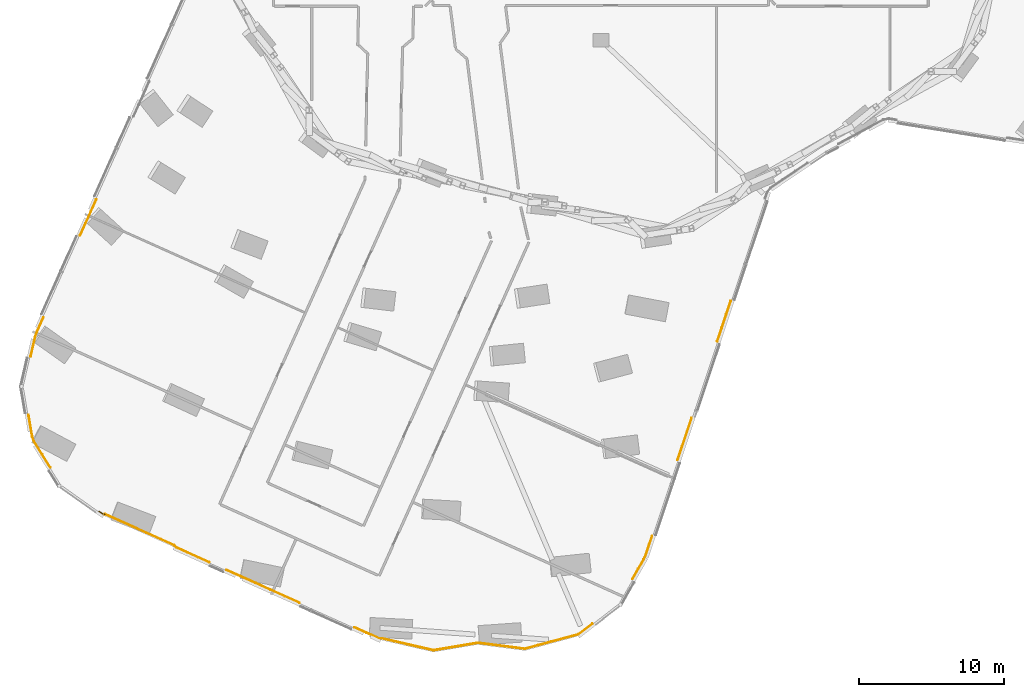
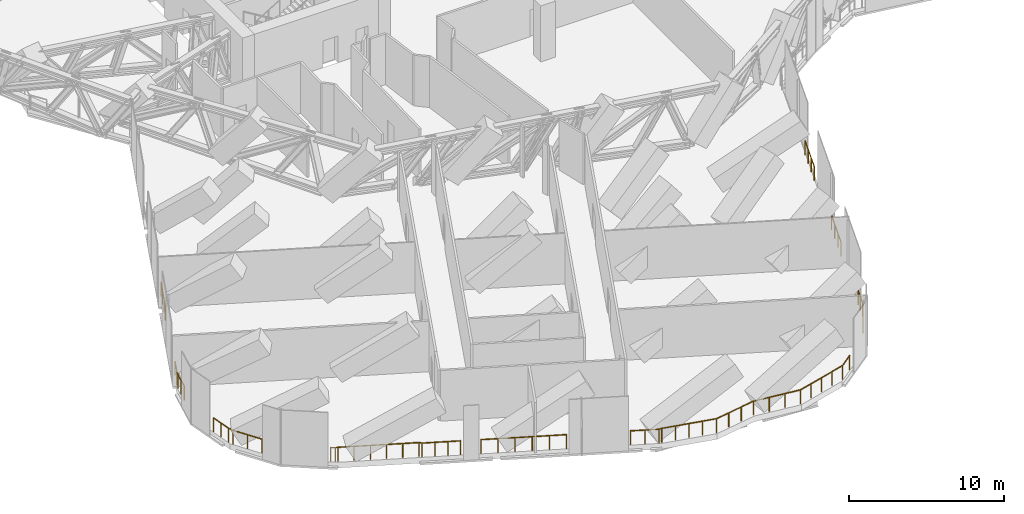
# One storey, part 35 of 39: 12 railings.
"""IFC4 building model written with IfcOpenShell, lengths in metres."""

from ifc_helpers import new_model, si_unit, direction, frame, origin, origin_2d, place, context, subcontext, project, spatial, circle, extrude, material, type_object, element, save


model = new_model("IFC4")

# Units and contexts
model_context = context("Model", 3, precision=1e-05, world=origin(), true_north=direction((0.0, 1.0)))
body_context = subcontext(model_context, "Body", "Model", "MODEL_VIEW")
ifc_project = project(units=[si_unit("LENGTHUNIT", "METRE"), si_unit("AREAUNIT", "SQUARE_METRE"), si_unit("VOLUMEUNIT", "CUBIC_METRE"), si_unit("PLANEANGLEUNIT", "RADIAN"), si_unit("MASSUNIT", "GRAM", prefix="KILO")], contexts=[model_context])

# Site, building, storey
site_placement = place(None, origin())
site = spatial("IfcSite", under=ifc_project, at=site_placement, CompositionType="ELEMENT")
building_placement = place(site_placement, origin())
building = spatial("IfcBuilding", under=site, at=building_placement, Name="Orlundy Tower", CompositionType="ELEMENT")
storey_placement = place(building_placement, frame((0.0, 0.0, 141.199951171875)))
storey = spatial("IfcBuildingStorey", under=building, at=storey_placement, Name="L36", CompositionType="ELEMENT", Elevation=141.199951171875)

# Railings
ifc_material = material(Name="Stainless steel bronze finish", Category="steel")
railing_type = type_object("IfcRailingType", Name="TG1 terrace guard", PredefinedType="GUARDRAIL", material=ifc_material)
railing_1_placement = place(storey_placement, frame((-27.083984375, -54.114501953125, 0.0)))
element("IfcRailing", 1, at=railing_1_placement, inside=storey, type_object=railing_type, Name="Guard TG-L36-E01", PredefinedType="GUARDRAIL", context=body_context, shape_type="SweptSolid", body=[
    extrude(circle(Radius=0.02490234375, at=origin_2d()), frame((0.0, 0.0, 1.09521484375), z_axis=(-0.912344174695, 0.409424116168, 0.0), x_axis=(-0.409424116168, -0.912344174695, 0.0)), (0.0, 0.0, 1.0), 2.49365234375),
    extrude(circle(Radius=0.02490234375, at=origin_2d()), frame((-2.275146484375, 1.02099609375, 1.09521484375), z_axis=(-0.695100250023, 0.718912819762, 0.0), x_axis=(-0.718912819762, -0.695100250023, 0.0)), (0.0, 0.0, 1.0), 0.21533203125),
    extrude(circle(Radius=0.02490234375, at=origin_2d()), frame((-2.4248046875, 1.17578125, 1.09521484375), z_axis=(-0.912373404843, 0.40935897466, 0.0), x_axis=(-0.40935897466, -0.912373404843, 0.0)), (0.0, 0.0, 1.0), 5.25),
    extrude(circle(Radius=0.02001953125, at=origin_2d()), origin(), (0.0, 0.0, 1.0), 1.070068359375),
    extrude(circle(Radius=0.02001953125, at=origin_2d()), frame((-0.75830078125, 0.34033203125, 0.0)), (0.0, 0.0, 1.0), 1.070068359375),
    extrude(circle(Radius=0.02001953125, at=origin_2d()), frame((-1.516845703125, 0.6806640625, 0.0)), (0.0, 0.0, 1.0), 1.070068359375),
    extrude(circle(Radius=0.02001953125, at=origin_2d()), frame((-2.275146484375, 1.02099609375, 0.0)), (0.0, 0.0, 1.0), 1.070068359375),
    extrude(circle(Radius=0.02001953125, at=origin_2d()), frame((-2.4248046875, 1.17578125, 0.0)), (0.0, 0.0, 1.0), 1.070068359375),
    extrude(circle(Radius=0.02001953125, at=origin_2d()), frame((-3.3828125, 1.605712890625, 0.0)), (0.0, 0.0, 1.0), 1.070068359375),
    extrude(circle(Radius=0.02001953125, at=origin_2d()), frame((-4.3408203125, 2.035400390625, 0.0)), (0.0, 0.0, 1.0), 1.070068359375),
    extrude(circle(Radius=0.02001953125, at=origin_2d()), frame((-5.298828125, 2.46533203125, 0.0)), (0.0, 0.0, 1.0), 1.070068359375),
    extrude(circle(Radius=0.02001953125, at=origin_2d()), frame((-6.2568359375, 2.89501953125, 0.0)), (0.0, 0.0, 1.0), 1.070068359375),
    extrude(circle(Radius=0.02001953125, at=origin_2d()), frame((-7.21484375, 3.324951171875, 0.0)), (0.0, 0.0, 1.0), 1.070068359375),
])
railing_2_placement = place(storey_placement, frame((-5.25341796875, -60.102783203125, 0.0)))
element("IfcRailing", 2, at=railing_2_placement, inside=storey, type_object=railing_type, Name="Guard TG-L36-E05", PredefinedType="GUARDRAIL", context=body_context, shape_type="SweptSolid", body=[
    extrude(circle(Radius=0.02490234375, at=origin_2d()), frame((0.0, 0.0, 1.09521484375), z_axis=(-0.992021153736, 0.126071529458, 0.0), x_axis=(-0.126071529458, -0.992021153736, 0.0)), (0.0, 0.0, 1.0), 3.274658203125),
    extrude(circle(Radius=0.02490234375, at=origin_2d()), frame((-3.24853515625, 0.412841796875, 1.09521484375), z_axis=(-0.986345130089, -0.164691482324, 0.0), x_axis=(0.164691482324, -0.986345130089, 0.0)), (0.0, 0.0, 1.0), 3.113037109375),
    extrude(circle(Radius=0.02001953125, at=origin_2d()), origin(), (0.0, 0.0, 1.0), 1.070068359375),
    extrude(circle(Radius=0.02001953125, at=origin_2d()), frame((-1.082763671875, 0.1376953125, 0.0)), (0.0, 0.0, 1.0), 1.070068359375),
    extrude(circle(Radius=0.02001953125, at=origin_2d()), frame((-2.165771484375, 0.275146484375, 0.0)), (0.0, 0.0, 1.0), 1.070068359375),
    extrude(circle(Radius=0.02001953125, at=origin_2d()), frame((-3.24853515625, 0.412841796875, 0.0)), (0.0, 0.0, 1.0), 1.070068359375),
    extrude(circle(Radius=0.02001953125, at=origin_2d()), frame((-4.27197265625, 0.241943359375, 0.0)), (0.0, 0.0, 1.0), 1.070068359375),
    extrude(circle(Radius=0.02001953125, at=origin_2d()), frame((-5.295654296875, 0.071044921875, 0.0)), (0.0, 0.0, 1.0), 1.070068359375),
    extrude(circle(Radius=0.02001953125, at=origin_2d()), frame((-6.319091796875, -0.099853515625, 0.0)), (0.0, 0.0, 1.0), 1.070068359375),
])
railing_3_placement = place(storey_placement, frame((-11.572509765625, -60.20263671875, 0.0)))
element("IfcRailing", 3, at=railing_3_placement, inside=storey, type_object=railing_type, Name="Guard TG-L36-E010", PredefinedType="GUARDRAIL", context=body_context, shape_type="SweptSolid", body=[
    extrude(circle(Radius=0.02490234375, at=origin_2d()), frame((0.0, 0.0, 1.09521484375), z_axis=(-0.974653153309, 0.22372132385, 0.0), x_axis=(-0.22372132385, -0.974653153309, 0.0)), (0.0, 0.0, 1.0), 3.681884765625),
    extrude(circle(Radius=0.02490234375, at=origin_2d()), frame((-3.588623046875, 0.82373046875, 1.09521484375), z_axis=(-0.99997997176, 0.006328987163, 0.0), x_axis=(-0.006328987163, -0.99997997176, 0.0)), (0.0, 0.0, 1.0), 0.19287109375),
    extrude(circle(Radius=0.02490234375, at=origin_2d()), frame((-3.781494140625, 0.824951171875, 1.09521484375), z_axis=(-0.912349877109, 0.409411408902, 0.0), x_axis=(-0.409411408902, -0.912349877109, 0.0)), (0.0, 0.0, 1.0), 1.853271484375),
    extrude(circle(Radius=0.02001953125, at=origin_2d()), origin(), (0.0, 0.0, 1.0), 1.070068359375),
    extrude(circle(Radius=0.02001953125, at=origin_2d()), frame((-0.897216796875, 0.2060546875, 0.0)), (0.0, 0.0, 1.0), 1.070068359375),
    extrude(circle(Radius=0.02001953125, at=origin_2d()), frame((-1.79443359375, 0.411865234375, 0.0)), (0.0, 0.0, 1.0), 1.070068359375),
    extrude(circle(Radius=0.02001953125, at=origin_2d()), frame((-2.69140625, 0.61767578125, 0.0)), (0.0, 0.0, 1.0), 1.070068359375),
    extrude(circle(Radius=0.02001953125, at=origin_2d()), frame((-3.588623046875, 0.82373046875, 0.0)), (0.0, 0.0, 1.0), 1.070068359375),
    extrude(circle(Radius=0.02001953125, at=origin_2d()), frame((-3.781494140625, 0.824951171875, 0.0)), (0.0, 0.0, 1.0), 1.070068359375),
    extrude(circle(Radius=0.02001953125, at=origin_2d()), frame((-4.626953125, 1.204345703125, 0.0)), (0.0, 0.0, 1.0), 1.070068359375),
    extrude(circle(Radius=0.02001953125, at=origin_2d()), frame((-5.472412109375, 1.583740234375, 0.0)), (0.0, 0.0, 1.0), 1.070068359375),
])
railing_4_placement = place(storey_placement, frame((-20.82958984375, -56.9208984375, 0.0)))
element("IfcRailing", 4, at=railing_4_placement, inside=storey, type_object=railing_type, Name="Guard TG-L36-E012", PredefinedType="GUARDRAIL", context=body_context, shape_type="SweptSolid", body=[
    extrude(circle(Radius=0.02490234375, at=origin_2d()), frame((0.0, 0.0, 1.09521484375), z_axis=(-0.912355758178, 0.409398303026, 0.0), x_axis=(-0.409398303026, -0.912355758178, 0.0)), (0.0, 0.0, 1.0), 5.5478515625),
    extrude(circle(Radius=0.02001953125, at=origin_2d()), origin(), (0.0, 0.0, 1.0), 1.070068359375),
    extrude(circle(Radius=0.02001953125, at=origin_2d()), frame((-1.01220703125, 0.454345703125, 0.0)), (0.0, 0.0, 1.0), 1.070068359375),
    extrude(circle(Radius=0.02001953125, at=origin_2d()), frame((-2.024658203125, 0.908447265625, 0.0)), (0.0, 0.0, 1.0), 1.070068359375),
    extrude(circle(Radius=0.02001953125, at=origin_2d()), frame((-3.036865234375, 1.36279296875, 0.0)), (0.0, 0.0, 1.0), 1.070068359375),
    extrude(circle(Radius=0.02001953125, at=origin_2d()), frame((-4.04931640625, 1.81689453125, 0.0)), (0.0, 0.0, 1.0), 1.070068359375),
    extrude(circle(Radius=0.02001953125, at=origin_2d()), frame((-5.0615234375, 2.271240234375, 0.0)), (0.0, 0.0, 1.0), 1.070068359375),
])
railing_5_placement = place(storey_placement, frame((-0.589111328125, -58.363037109375, 0.0)))
element("IfcRailing", 5, at=railing_5_placement, inside=storey, type_object=railing_type, Name="Guard TG-L36-E016", PredefinedType="GUARDRAIL", context=body_context, shape_type="SweptSolid", body=[
    extrude(circle(Radius=0.02490234375, at=origin_2d()), frame((0.0, 0.0, 1.09521484375), z_axis=(-0.79060266148, -0.612329512323, 0.0), x_axis=(0.612329512323, -0.79060266148, 0.0)), (0.0, 0.0, 1.0), 1.197021484375),
    extrude(circle(Radius=0.02490234375, at=origin_2d()), frame((-0.9462890625, -0.73291015625, 1.09521484375), z_axis=(-0.965234700965, -0.261384720388, 0.0), x_axis=(0.261384720388, -0.965234700965, 0.0)), (0.0, 0.0, 1.0), 3.85205078125),
    extrude(circle(Radius=0.02001953125, at=origin_2d()), origin(), (0.0, 0.0, 1.0), 1.070068359375),
    extrude(circle(Radius=0.02001953125, at=origin_2d()), frame((-0.9462890625, -0.73291015625, 0.0)), (0.0, 0.0, 1.0), 1.070068359375),
    extrude(circle(Radius=0.02001953125, at=origin_2d()), frame((-1.875732421875, -0.984619140625, 0.0)), (0.0, 0.0, 1.0), 1.070068359375),
    extrude(circle(Radius=0.02001953125, at=origin_2d()), frame((-2.80517578125, -1.236328125, 0.0)), (0.0, 0.0, 1.0), 1.070068359375),
    extrude(circle(Radius=0.02001953125, at=origin_2d()), frame((-3.73486328125, -1.488037109375, 0.0)), (0.0, 0.0, 1.0), 1.070068359375),
    extrude(circle(Radius=0.02001953125, at=origin_2d()), frame((-4.664306640625, -1.73974609375, 0.0)), (0.0, 0.0, 1.0), 1.070068359375),
])
railing_6_placement = place(storey_placement, frame((-38.077880859375, -47.544921875, 0.0)))
element("IfcRailing", 6, at=railing_6_placement, inside=storey, type_object=railing_type, Name="Guard TG-L36-E021", PredefinedType="GUARDRAIL", context=body_context, shape_type="SweptSolid", body=[
    extrude(circle(Radius=0.02490234375, at=origin_2d()), frame((0.0, 0.0, 1.09521484375), z_axis=(-0.531184810198, 0.847255981044, 0.0), x_axis=(-0.847255981044, -0.531184810198, 0.0)), (0.0, 0.0, 1.0), 2.108642578125),
    extrude(circle(Radius=0.02490234375, at=origin_2d()), frame((-1.1201171875, 1.78662109375, 1.09521484375), z_axis=(-0.355025275676, 0.934856702191, 0.0), x_axis=(-0.934856702191, -0.355025275676, 0.0)), (0.0, 0.0, 1.0), 0.376953125),
    extrude(circle(Radius=0.02490234375, at=origin_2d()), frame((-1.25390625, 2.138916015625, 1.09521484375), z_axis=(-0.166401367617, 0.986058104198, 0.0), x_axis=(-0.986058104198, -0.166401367617, 0.0)), (0.0, 0.0, 1.0), 1.50244140625),
    extrude(circle(Radius=0.02001953125, at=origin_2d()), origin(), (0.0, 0.0, 1.0), 1.070068359375),
    extrude(circle(Radius=0.02001953125, at=origin_2d()), frame((-0.56005859375, 0.893310546875, 0.0)), (0.0, 0.0, 1.0), 1.070068359375),
    extrude(circle(Radius=0.02001953125, at=origin_2d()), frame((-1.1201171875, 1.78662109375, 0.0)), (0.0, 0.0, 1.0), 1.070068359375),
    extrude(circle(Radius=0.02001953125, at=origin_2d()), frame((-1.25390625, 2.138916015625, 0.0)), (0.0, 0.0, 1.0), 1.070068359375),
    extrude(circle(Radius=0.02001953125, at=origin_2d()), frame((-1.37890625, 2.879638671875, 0.0)), (0.0, 0.0, 1.0), 1.070068359375),
    extrude(circle(Radius=0.02001953125, at=origin_2d()), frame((-1.50390625, 3.620361328125, 0.0)), (0.0, 0.0, 1.0), 1.070068359375),
])
railing_7_placement = place(storey_placement, frame((3.54345703125, -52.313720703125, 0.0)))
element("IfcRailing", 7, at=railing_7_placement, inside=storey, type_object=railing_type, Name="Guard TG-L36-E026", PredefinedType="GUARDRAIL", context=body_context, shape_type="SweptSolid", body=[
    extrude(circle(Radius=0.02490234375, at=origin_2d()), frame((0.0, 0.0, 1.09521484375), z_axis=(-0.317398256499, -0.948292331916, 0.0), x_axis=(0.948292331916, -0.317398256499, 0.0)), (0.0, 0.0, 1.0), 1.313720703125),
    extrude(circle(Radius=0.02490234375, at=origin_2d()), frame((-0.4169921875, -1.245849609375, 1.09521484375), z_axis=(-0.408516949398, -0.912750733801, 0.0), x_axis=(0.912750733801, -0.408516949398, 0.0)), (0.0, 0.0, 1.0), 0.39013671875),
    extrude(circle(Radius=0.02490234375, at=origin_2d()), frame((-0.576416015625, -1.60205078125, 1.09521484375), z_axis=(-0.496138938357, -0.868243142124, 0.0), x_axis=(0.868243142124, -0.496138938357, 0.0)), (0.0, 0.0, 1.0), 1.552978515625),
    extrude(circle(Radius=0.02001953125, at=origin_2d()), origin(), (0.0, 0.0, 1.0), 1.070068359375),
    extrude(circle(Radius=0.02001953125, at=origin_2d()), frame((-0.20849609375, -0.623046875, 0.0)), (0.0, 0.0, 1.0), 1.070068359375),
    extrude(circle(Radius=0.02001953125, at=origin_2d()), frame((-0.4169921875, -1.245849609375, 0.0)), (0.0, 0.0, 1.0), 1.070068359375),
    extrude(circle(Radius=0.02001953125, at=origin_2d()), frame((-0.576416015625, -1.60205078125, 0.0)), (0.0, 0.0, 1.0), 1.070068359375),
    extrude(circle(Radius=0.02001953125, at=origin_2d()), frame((-0.961669921875, -2.2763671875, 0.0)), (0.0, 0.0, 1.0), 1.070068359375),
    extrude(circle(Radius=0.02001953125, at=origin_2d()), frame((-1.346923828125, -2.950439453125, 0.0)), (0.0, 0.0, 1.0), 1.070068359375),
])
railing_8_placement = place(storey_placement, frame((6.2744140625, -44.151611328125, 0.0)))
element("IfcRailing", 8, at=railing_8_placement, inside=storey, type_object=railing_type, Name="Guard TG-L36-E027", PredefinedType="GUARDRAIL", context=body_context, shape_type="SweptSolid", body=[
    extrude(circle(Radius=0.02490234375, at=origin_2d()), frame((0.0, 0.0, 1.09521484375), z_axis=(-0.317306018698, -0.948323199388, 0.0), x_axis=(0.948323199388, -0.317306018698, 0.0)), (0.0, 0.0, 1.0), 3.05615234375),
    extrude(circle(Radius=0.02001953125, at=origin_2d()), origin(), (0.0, 0.0, 1.0), 1.070068359375),
    extrude(circle(Radius=0.02001953125, at=origin_2d()), frame((-0.3232421875, -0.966064453125, 0.0)), (0.0, 0.0, 1.0), 1.070068359375),
    extrude(circle(Radius=0.02001953125, at=origin_2d()), frame((-0.646484375, -1.93212890625, 0.0)), (0.0, 0.0, 1.0), 1.070068359375),
    extrude(circle(Radius=0.02001953125, at=origin_2d()), frame((-0.9697265625, -2.898193359375, 0.0)), (0.0, 0.0, 1.0), 1.070068359375),
])
railing_9_placement = place(storey_placement, frame((8.98876953125, -36.039794921875, 0.0)))
element("IfcRailing", 9, at=railing_9_placement, inside=storey, type_object=railing_type, Name="Guard TG-L36-E029", PredefinedType="GUARDRAIL", context=body_context, shape_type="SweptSolid", body=[
    extrude(circle(Radius=0.02490234375, at=origin_2d()), frame((0.0, 0.0, 1.09521484375), z_axis=(-0.317297386243, -0.948326087738, 0.0), x_axis=(0.948326087738, -0.317297386243, 0.0)), (0.0, 0.0, 1.0), 2.94384765625),
    extrude(circle(Radius=0.02001953125, at=origin_2d()), origin(), (0.0, 0.0, 1.0), 1.070068359375),
    extrude(circle(Radius=0.02001953125, at=origin_2d()), frame((-0.311279296875, -0.9306640625, 0.0)), (0.0, 0.0, 1.0), 1.070068359375),
    extrude(circle(Radius=0.02001953125, at=origin_2d()), frame((-0.622802734375, -1.861083984375, 0.0)), (0.0, 0.0, 1.0), 1.070068359375),
    extrude(circle(Radius=0.02001953125, at=origin_2d()), frame((-0.93408203125, -2.791748046875, 0.0)), (0.0, 0.0, 1.0), 1.070068359375),
])
railing_10_placement = place(storey_placement, frame((-39.439208984375, -39.885498046875, 0.0)))
element("IfcRailing", 10, at=railing_10_placement, inside=storey, type_object=railing_type, Name="Guard TG-L36-E031", PredefinedType="GUARDRAIL", context=body_context, shape_type="SweptSolid", body=[
    extrude(circle(Radius=0.02490234375, at=origin_2d()), frame((0.0, 0.0, 1.09521484375), z_axis=(0.223808589233, 0.97463311835, 0.0), x_axis=(-0.97463311835, 0.223808589233, 0.0)), (0.0, 0.0, 1.0), 1.37451171875),
    extrude(circle(Radius=0.02490234375, at=origin_2d()), frame((0.3076171875, 1.339599609375, 1.09521484375), z_axis=(0.317728449452, 0.948181750726, 0.0), x_axis=(-0.948181750726, 0.317728449452, 0.0)), (0.0, 0.0, 1.0), 0.390380859375),
    extrude(circle(Radius=0.02490234375, at=origin_2d()), frame((0.431640625, 1.709716796875, 1.09521484375), z_axis=(0.4094202385, 0.91234591483, 0.0), x_axis=(-0.91234591483, 0.4094202385, 0.0)), (0.0, 0.0, 1.0), 1.0966796875),
    extrude(circle(Radius=0.02001953125, at=origin_2d()), origin(), (0.0, 0.0, 1.0), 1.070068359375),
    extrude(circle(Radius=0.02001953125, at=origin_2d()), frame((0.15380859375, 0.669921875, 0.0)), (0.0, 0.0, 1.0), 1.070068359375),
    extrude(circle(Radius=0.02001953125, at=origin_2d()), frame((0.3076171875, 1.339599609375, 0.0)), (0.0, 0.0, 1.0), 1.070068359375),
    extrude(circle(Radius=0.02001953125, at=origin_2d()), frame((0.431640625, 1.709716796875, 0.0)), (0.0, 0.0, 1.0), 1.070068359375),
    extrude(circle(Radius=0.02001953125, at=origin_2d()), frame((0.880615234375, 2.710205078125, 0.0)), (0.0, 0.0, 1.0), 1.070068359375),
])
railing_11_placement = place(storey_placement, frame((-36.015869140625, -31.508544921875, 0.0)))
element("IfcRailing", 11, at=railing_11_placement, inside=storey, type_object=railing_type, Name="Guard TG-L36-E036", PredefinedType="GUARDRAIL", context=body_context, shape_type="SweptSolid", body=[
    extrude(circle(Radius=0.02490234375, at=origin_2d()), frame((0.0, 0.0, 1.09521484375), z_axis=(0.409435593377, 0.912339024089, 0.0), x_axis=(-0.912339024089, 0.409435593377, 0.0)), (0.0, 0.0, 1.0), 2.732177734375),
    extrude(circle(Radius=0.02001953125, at=origin_2d()), origin(), (0.0, 0.0, 1.0), 1.070068359375),
    extrude(circle(Radius=0.02001953125, at=origin_2d()), frame((0.372802734375, 0.830810546875, 0.0)), (0.0, 0.0, 1.0), 1.070068359375),
    extrude(circle(Radius=0.02001953125, at=origin_2d()), frame((0.745849609375, 1.661865234375, 0.0)), (0.0, 0.0, 1.0), 1.070068359375),
    extrude(circle(Radius=0.02001953125, at=origin_2d()), frame((1.11865234375, 2.49267578125, 0.0)), (0.0, 0.0, 1.0), 1.070068359375),
])
railing_12_placement = place(storey_placement, frame((-34.298828125, -50.78955078125, 0.0)))
element("IfcRailing", 12, at=railing_12_placement, inside=storey, type_object=railing_type, Name="Guard TG-L36-E038", PredefinedType="GUARDRAIL", context=body_context, shape_type="SweptSolid", body=[
    extrude(circle(Radius=0.02490234375, at=origin_2d()), frame((0.0, 0.0, 1.09521484375), z_axis=(-0.979295029765, 0.202438249047, 0.0), x_axis=(-0.202438249047, -0.979295029765, 0.0)), (0.0, 0.0, 1.0), 0.19287109375),
    extrude(circle(Radius=0.02490234375, at=origin_2d()), frame((-0.18896484375, 0.0390625, 1.09521484375), z_axis=(-0.815018950646, 0.579434301788, 0.0), x_axis=(-0.579434301788, -0.815018950646, 0.0)), (0.0, 0.0, 1.0), 0.281982421875),
    extrude(circle(Radius=0.02001953125, at=origin_2d()), origin(), (0.0, 0.0, 1.0), 1.070068359375),
    extrude(circle(Radius=0.02001953125, at=origin_2d()), frame((-0.18896484375, 0.0390625, 0.0)), (0.0, 0.0, 1.0), 1.070068359375),
    extrude(circle(Radius=0.02001953125, at=origin_2d()), frame((-0.418701171875, 0.202392578125, 0.0)), (0.0, 0.0, 1.0), 1.070068359375),
])

save(model, "model.ifc")
